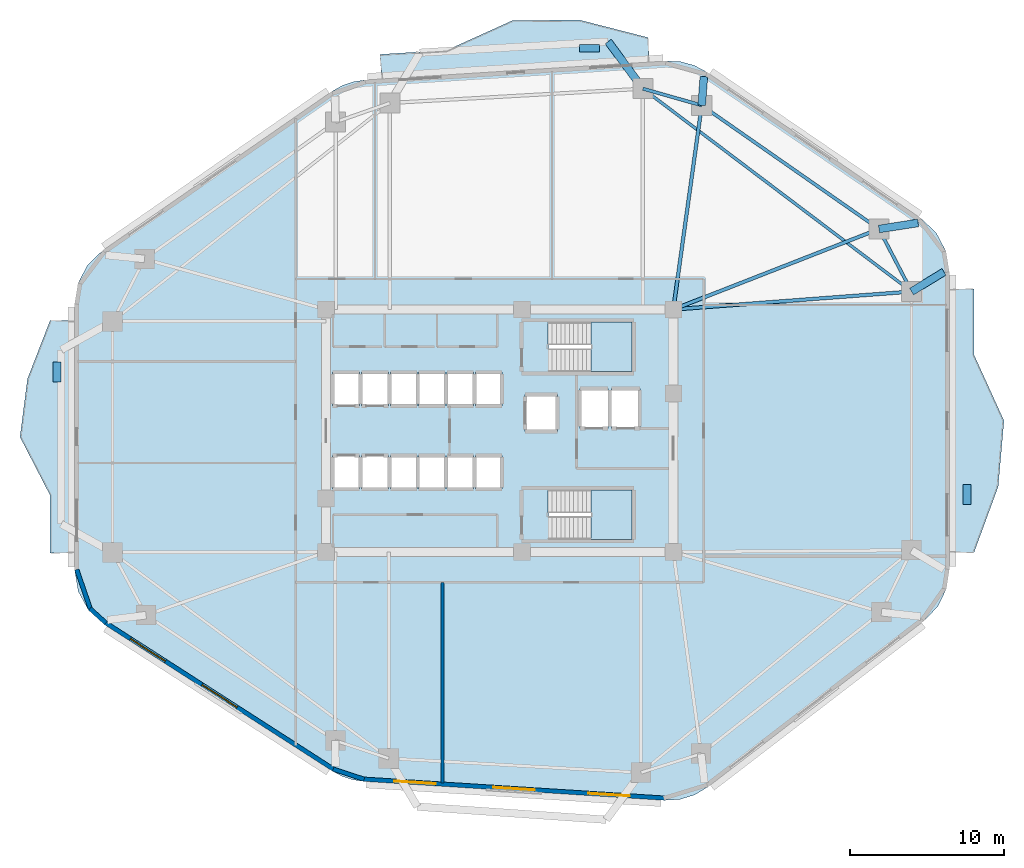
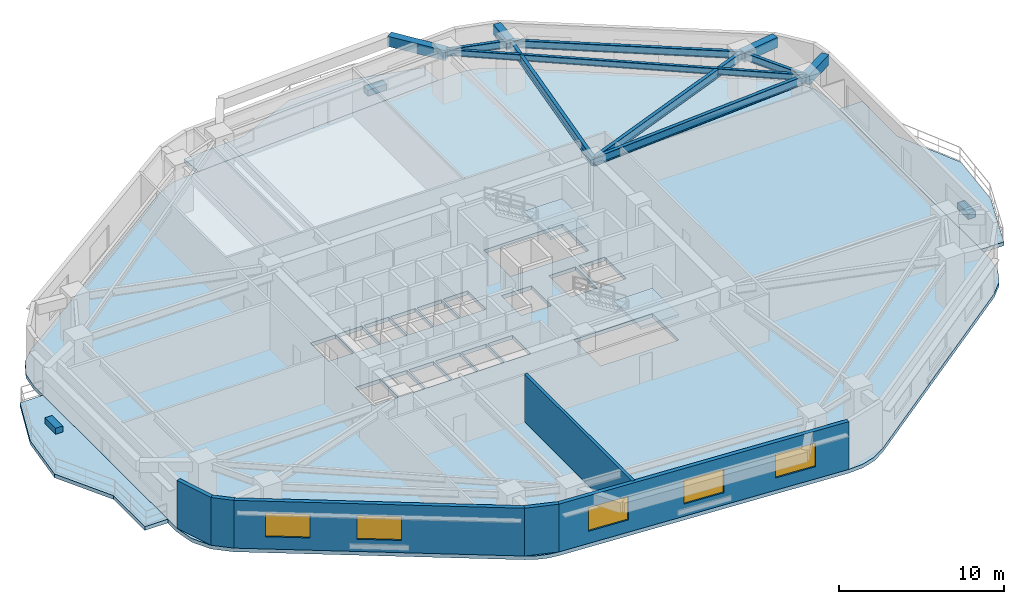
# One storey, part 2 of 9: 11 beams, 6 slabs, 6 walls, 5 windows, 3 plates, 5 openings, 2 elements without a shape of their own.
"""IFC4 building model written with IfcOpenShell, lengths in metres."""

import ifcopenshell
import ifcopenshell.guid

model = None  # the IFC model being written
_history = None  # IfcOwnerHistory: only IFC2X3 demands one
_inside = {}  # id of a spatial element -> (the spatial element, [elements in it])
_under = {}  # id of a project, library or spatial element -> (it, [spatial elements below it])
_declared = {}  # id of a project -> (the project, [libraries it declares])
_typed = {}  # id of a type object -> (the type object, [elements of that type])
_made_of = {}  # id of a material, layer set ... -> (it, [elements and type objects made of it])


def new_model(schema):
    """Start an empty IFC model of exactly this schema.

    Asked for "IFC4X3", IfcOpenShell would pick the latest addendum, in which some entities
    have other attributes; the version numbers below select the first issue.
    IFC2X3 requires an IfcOwnerHistory on every rooted entity: one is made here for all.
    """
    global model, _history
    if schema == "IFC4X3":
        model = ifcopenshell.file(schema_version=(4, 3, 0, 0))
    else:
        model = ifcopenshell.file(schema=schema)
    _inside.clear()
    _under.clear()
    _declared.clear()
    _typed.clear()
    _made_of.clear()
    _history = None
    if model.schema == "IFC2X3":
        org = make("IfcOrganization", Name="unknown")
        user = make(
            "IfcPersonAndOrganization",
            ThePerson=make("IfcPerson", FamilyName="unknown"),
            TheOrganization=org,
        )
        app = make(
            "IfcApplication",
            ApplicationDeveloper=org,
            Version="unknown",
            ApplicationFullName="unknown",
            ApplicationIdentifier="unknown",
        )
        _history = make(
            "IfcOwnerHistory",
            OwningUser=user,
            OwningApplication=app,
            ChangeAction="ADDED",
            CreationDate=0,
        )
    return model


def make(cls, **values):
    """One entity of the class cls with the attributes given. An attribute that is None is left unset."""
    return model.create_entity(
        cls, **{name: value for name, value in values.items() if value is not None}
    )


def rooted(cls, **values):
    """An entity with a GlobalId (a new one), such as an element, a storey or a relation."""
    return make(cls, GlobalId=ifcopenshell.guid.new(), OwnerHistory=_history, **values)


def si_unit(unit_type, name, prefix=None):
    """IfcSIUnit, for example si_unit("LENGTHUNIT", "METRE", prefix="MILLI")."""
    return make("IfcSIUnit", UnitType=unit_type, Prefix=prefix, Name=name)


def assignment(units):
    """IfcUnitAssignment: the units of a project."""
    return None if units is None else make("IfcUnitAssignment", Units=units)


def point(xyz):
    """IfcCartesianPoint."""
    return None if xyz is None else make("IfcCartesianPoint", Coordinates=xyz)


def direction(xyz):
    """IfcDirection."""
    return None if xyz is None else make("IfcDirection", DirectionRatios=xyz)


def frame(location, z_axis=None, x_axis=None):
    """IfcAxis2Placement3D, a coordinate frame: its origin and axes. An axis left out is left unset."""
    return make(
        "IfcAxis2Placement3D",
        Location=point(location),
        Axis=direction(z_axis),
        RefDirection=direction(x_axis),
    )


def frame_2d(location, x_axis=None):
    """IfcAxis2Placement2D, a coordinate frame in the plane: its origin and x axis."""
    return make(
        "IfcAxis2Placement2D", Location=point(location), RefDirection=direction(x_axis)
    )


def origin():
    """The frame at (0, 0, 0) with its axes left unset."""
    return frame((0.0, 0.0, 0.0))


def origin_2d():
    """The frame at (0, 0) in the plane with its x axis left unset."""
    return frame_2d((0.0, 0.0))


def place(relative_to, where):
    """IfcLocalPlacement: puts the frame where relative to a parent placement (None: the world)."""
    return make(
        "IfcLocalPlacement", PlacementRelTo=relative_to, RelativePlacement=where
    )


def context(
    kind, dimensions, precision=None, world=None, true_north=None, identifier=None
):
    """IfcGeometricRepresentationContext, for example the 3D "Model" context."""
    return make(
        "IfcGeometricRepresentationContext",
        ContextIdentifier=identifier,
        ContextType=kind,
        CoordinateSpaceDimension=dimensions,
        Precision=precision,
        WorldCoordinateSystem=world,
        TrueNorth=true_north,
    )


def subcontext(parent, identifier, kind, view, scale=None):
    """IfcGeometricRepresentationSubContext, for example "Body" below "Model"."""
    return make(
        "IfcGeometricRepresentationSubContext",
        ContextIdentifier=identifier,
        ContextType=kind,
        ParentContext=parent,
        TargetScale=scale,
        TargetView=view,
    )


def project(units=None, contexts=None):
    """IfcProject with its units and contexts."""
    return rooted(
        "IfcProject",
        Name="project",
        RepresentationContexts=contexts,
        UnitsInContext=assignment(units),
    )


def spatial(cls, under=None, at=None, **own):
    """A site, building, storey or space (cls), placed at a placement, below another one or the project."""
    s = rooted(cls, ObjectPlacement=at, **own)
    if under is not None:
        _under.setdefault(under.id(), (under, []))[1].append(s)
    return s


def polyline(points):
    """IfcPolyline through the points."""
    return make("IfcPolyline", Points=[point(p) for p in points])


def profile(cls, at=None, kind="AREA", **sizes):
    """A parametric profile (cls). Its sizes go by their IFC names, for example OverallWidth=200.0."""
    return make(cls, ProfileType=kind, Position=at, **sizes)


def rectangle(**sizes):
    """IfcRectangleProfileDef."""
    return profile("IfcRectangleProfileDef", **sizes)


def i_section(**sizes):
    """IfcIShapeProfileDef."""
    return profile("IfcIShapeProfileDef", **sizes)


def outline(outer, holes=None, kind="AREA"):
    """IfcArbitraryClosedProfileDef: a profile drawn as a closed curve; with holes, ...WithVoids."""
    if holes is None:
        return make("IfcArbitraryClosedProfileDef", ProfileType=kind, OuterCurve=outer)
    return make(
        "IfcArbitraryProfileDefWithVoids",
        ProfileType=kind,
        OuterCurve=outer,
        InnerCurves=holes,
    )


def extrude(swept, where, along, depth):
    """IfcExtrudedAreaSolid: the profile swept, set in the frame where, extruded along a direction by depth."""
    return make(
        "IfcExtrudedAreaSolid",
        SweptArea=swept,
        Position=where,
        ExtrudedDirection=direction(along),
        Depth=depth,
    )


def shape(context_of_items, identifier, shape_type, items):
    """IfcShapeRepresentation: the items that make up one representation, for example the "Body"."""
    return make(
        "IfcShapeRepresentation",
        ContextOfItems=context_of_items,
        RepresentationIdentifier=identifier,
        RepresentationType=shape_type,
        Items=items,
    )


def material(Name=None, Category=None):
    """IfcMaterial."""
    return make("IfcMaterial", Name=Name, Category=Category)


def layer(
    of_material, thickness, ventilated=None, Name=None, Category=None, Priority=None
):
    """IfcMaterialLayer: one layer of a wall or slab, of a material (None: an air gap)."""
    return make(
        "IfcMaterialLayer",
        Material=of_material,
        LayerThickness=thickness,
        IsVentilated=ventilated,
        Name=Name,
        Category=Category,
        Priority=Priority,
    )


def layer_set(layers, Name=None):
    """IfcMaterialLayerSet."""
    return make("IfcMaterialLayerSet", MaterialLayers=layers, LayerSetName=Name)


def material_profile(
    of_material, cross_section, Name=None, Category=None, Priority=None
):
    """IfcMaterialProfile: a cross section and its material."""
    return make(
        "IfcMaterialProfile",
        Name=Name,
        Material=of_material,
        Profile=cross_section,
        Priority=Priority,
        Category=Category,
    )


def profile_set(profiles, Name=None, composite=None):
    """IfcMaterialProfileSet."""
    return make(
        "IfcMaterialProfileSet",
        Name=Name,
        MaterialProfiles=profiles,
        CompositeProfile=composite,
    )


def made_of(thing, what):
    """Note that an element or type object is made of a material, layer set ...; save() writes the relation."""
    if what is not None:
        _made_of.setdefault(what.id(), (what, []))[1].append(thing)
    return thing


def type_object(cls, material=None, **own):
    """A type object (cls), such as IfcWallType, which elements share."""
    return made_of(rooted(cls, **own), material)


def element(
    cls,
    number,
    at=None,
    inside=None,
    cuts=None,
    type_object=None,
    material=None,
    context=None,
    identifier="Body",
    shape_type=None,
    held_by="IfcProductDefinitionShape",
    body=None,
    shapes=None,
    **own,
):
    """One element of the class cls, such as IfcWall. Its Tag is "e" and its number.

    at: its placement. inside: the storey or other place that contains it. cuts: it is an
    opening in that element (IfcRelVoidsElement). A single representation is given by context,
    identifier, shape_type and body (its items); several are given by shapes. held_by: the class
    of the entity that holds the representations. save() writes the other relations.
    """
    e = rooted(cls, Tag="e%d" % number, ObjectPlacement=at, **own)
    if body is not None:
        shapes = [shape(context, identifier, shape_type, body)]
    if shapes is not None:
        e.Representation = make(held_by, Representations=shapes)
    if inside is not None:
        _inside.setdefault(inside.id(), (inside, []))[1].append(e)
    if cuts is not None:
        rooted(
            "IfcRelVoidsElement", RelatingBuildingElement=cuts, RelatedOpeningElement=e
        )
    if type_object is not None:
        _typed.setdefault(type_object.id(), (type_object, []))[1].append(e)
    return made_of(e, material)


def fill(opening, filler):
    """IfcRelFillsElement: the door or window that sits in an opening."""
    return rooted(
        "IfcRelFillsElement",
        RelatingOpeningElement=opening,
        RelatedBuildingElement=filler,
    )


def aggregate(whole, parts):
    """IfcRelAggregates: a whole, such as a stair, and the parts it consists of."""
    return rooted("IfcRelAggregates", RelatingObject=whole, RelatedObjects=parts)


def save(model, path):
    """Write the relations noted so far, then the file.

    IfcRelAggregates (storeys below a building ...), IfcRelContainedInSpatialStructure (elements
    in a storey), IfcRelDefinesByType, IfcRelAssociatesMaterial and IfcRelDeclares: one each for
    every whole, place, type object, material and project.
    """
    for whole, parts in _under.values():
        aggregate(whole, parts)
    for where, things in _inside.values():
        rooted(
            "IfcRelContainedInSpatialStructure",
            RelatedElements=things,
            RelatingStructure=where,
        )
    for kind, things in _typed.values():
        rooted("IfcRelDefinesByType", RelatedObjects=things, RelatingType=kind)
    for what, things in _made_of.values():
        rooted("IfcRelAssociatesMaterial", RelatedObjects=things, RelatingMaterial=what)
    for by, libraries in _declared.values():
        rooted("IfcRelDeclares", RelatingContext=by, RelatedDefinitions=libraries)
    model.write(path)


model = new_model("IFC4")

# Units and contexts
model_context = context("Model", 3, precision=1e-05, world=origin(), true_north=direction((0.0, 1.0)))
body_context = subcontext(model_context, "Body", "Model", "MODEL_VIEW")
ifc_project = project(units=[si_unit("LENGTHUNIT", "METRE"), si_unit("AREAUNIT", "SQUARE_METRE"), si_unit("VOLUMEUNIT", "CUBIC_METRE"), si_unit("PLANEANGLEUNIT", "RADIAN"), si_unit("MASSUNIT", "GRAM", prefix="KILO")], contexts=[model_context])

# Site, building, storey
site_placement = place(None, origin())
site = spatial("IfcSite", under=ifc_project, at=site_placement, CompositionType="ELEMENT")
building_placement = place(site_placement, origin())
building = spatial("IfcBuilding", under=site, at=building_placement, Name="Zulverin Broadcast Headquarters", CompositionType="ELEMENT")
storey_placement = place(building_placement, frame((0.0, 0.0, 82.0)))
storey = spatial("IfcBuildingStorey", under=building, at=storey_placement, Name="L20", CompositionType="ELEMENT", Elevation=82.0)

# Beams
ifc_material_1 = material(Name="Concrete C40/50", Category="concrete")
ifc_material_profile_1 = material_profile(ifc_material_1, rectangle(XDim=0.5, YDim=0.75, at=origin_2d()), Name="Concrete C40/50", Category="concrete")
ifc_profile_set_1 = profile_set([ifc_material_profile_1], Name="Concrete C40/50")
beam_type_1 = type_object("IfcBeamType", Name="BM-RC-500x750", PredefinedType="BEAM", material=ifc_profile_set_1)
beam_1_placement = place(storey_placement, frame((63.75, 34.235107421875, 3.14990234375), z_axis=(0.854022127196, 0.520236682924, 0.0), x_axis=(-0.520236682924, 0.854022127196, 0.0)))
element("IfcBeam", 1, at=beam_1_placement, inside=storey, type_object=beam_type_1, Name="L21 Plate Overhang Back-Spanned Beam OVR-06", PredefinedType="BEAM", context=body_context, shape_type="SweptSolid", body=[
    extrude(rectangle(XDim=0.5, YDim=0.75, at=origin_2d()), origin(), (0.0, 0.0, 1.0), 2.458984375),
])
beam_2_placement = place(storey_placement, frame((61.630126953125, 38.298583984375, 3.14990234375), z_axis=(0.988133444256, 0.153597839639, 0.0), x_axis=(-0.153597839639, 0.988133444256, 0.0)))
element("IfcBeam", 2, at=beam_2_placement, inside=storey, type_object=beam_type_1, Name="L21 Plate Overhang Back-Spanned Beam OVR-07", PredefinedType="BEAM", context=body_context, shape_type="SweptSolid", body=[
    extrude(rectangle(XDim=0.5, YDim=0.75, at=origin_2d()), origin(), (0.0, 0.0, 1.0), 2.57177734375),
])
beam_3_placement = place(storey_placement, frame((50.121826171875, 46.325927734375, 3.14990234375), z_axis=(0.073023006252, 0.997330256514, 0.0), x_axis=(-0.997330256514, 0.073023006252, 0.0)))
element("IfcBeam", 3, at=beam_3_placement, inside=storey, type_object=beam_type_1, Name="L21 Plate Overhang Back-Spanned Beam OVR-08", PredefinedType="BEAM", context=body_context, shape_type="SweptSolid", body=[
    extrude(rectangle(XDim=0.5, YDim=0.75, at=origin_2d()), origin(), (0.0, 0.0, 1.0), 1.875732421875),
])
beam_4_placement = place(storey_placement, frame((46.30224609375, 47.4091796875, 3.14990234375), z_axis=(-0.592925064887, 0.805257640404, 0.0), x_axis=(-0.805257640404, -0.592925064887, 0.0)))
element("IfcBeam", 4, at=beam_4_placement, inside=storey, type_object=beam_type_1, Name="L21 Balcony Column-Framed Cantilever BAL_N-1", PredefinedType="BEAM", context=body_context, shape_type="SweptSolid", body=[
    extrude(rectangle(XDim=0.5, YDim=0.75, at=origin_2d()), origin(), (0.0, 0.0, 1.0), 3.800048828125),
])
ifc_material_2 = material(Name="Structural steel S355JR", Category="steel")
ifc_material_profile_2 = material_profile(ifc_material_2, i_section(OverallWidth=0.19287109375, OverallDepth=0.46728515625, WebThickness=0.011474609375, FlangeThickness=0.01953125, at=origin_2d()), Name="Structural steel S355JR", Category="steel")
ifc_profile_set_2 = profile_set([ifc_material_profile_2], Name="Structural steel S355JR")
beam_type_2 = type_object("IfcBeamType", Name="BM-UB-457", PredefinedType="JOIST", material=ifc_profile_set_2)
beam_5_placement = place(storey_placement, frame((63.75, 34.235107421875, 3.29150390625), z_axis=(-0.798058136838, 0.602580459546, 0.0), x_axis=(-0.602580459546, -0.798058136838, 0.0)))
element("IfcBeam", 5, at=beam_5_placement, inside=storey, type_object=beam_type_2, Name="L20 Chordal Floor Joist J-02", PredefinedType="JOIST", context=body_context, shape_type="SweptSolid", body=[
    extrude(i_section(OverallWidth=0.19287109375, OverallDepth=0.46728515625, WebThickness=0.011474609375, FlangeThickness=0.01953125, at=origin_2d()), origin(), (0.0, 0.0, 1.0), 21.86279296875),
])
ifc_material_profile_3 = material_profile(ifc_material_2, i_section(OverallWidth=0.2119140625, OverallDepth=0.54443359375, WebThickness=0.0126953125, FlangeThickness=0.021240234375, at=origin_2d()), Name="Structural steel S355JR", Category="steel")
ifc_profile_set_3 = profile_set([ifc_material_profile_3], Name="Structural steel S355JR")
beam_type_3 = type_object("IfcBeamType", Name="BM-UB-533", PredefinedType="SPANDREL", material=ifc_profile_set_3)
beam_6_placement = place(storey_placement, frame((63.75, 34.235107421875, 3.252685546875), z_axis=(-0.462531417359, 0.886602891917, 0.0), x_axis=(-0.886602891917, -0.462531417359, 0.0)))
element("IfcBeam", 6, at=beam_6_placement, inside=storey, type_object=beam_type_3, Name="L20 Perimeter Spandrel Beam SP-06", PredefinedType="SPANDREL", context=body_context, shape_type="SweptSolid", body=[
    extrude(i_section(OverallWidth=0.2119140625, OverallDepth=0.54443359375, WebThickness=0.0126953125, FlangeThickness=0.021240234375, at=origin_2d()), origin(), (0.0, 0.0, 1.0), 4.583251953125),
])
beam_7_placement = place(storey_placement, frame((61.630126953125, 38.298583984375, 3.252685546875), z_axis=(-0.820183915206, 0.5720999434, 0.0), x_axis=(-0.5720999434, -0.820183915206, 0.0)))
element("IfcBeam", 7, at=beam_7_placement, inside=storey, type_object=beam_type_3, Name="L20 Perimeter Spandrel Beam SP-07", PredefinedType="SPANDREL", context=body_context, shape_type="SweptSolid", body=[
    extrude(i_section(OverallWidth=0.2119140625, OverallDepth=0.54443359375, WebThickness=0.0126953125, FlangeThickness=0.021240234375, at=origin_2d()), origin(), (0.0, 0.0, 1.0), 14.03125),
])
beam_8_placement = place(storey_placement, frame((50.121826171875, 46.325927734375, 3.252685546875), z_axis=(-0.962058150721, 0.272844487999, 0.0), x_axis=(-0.272844487999, -0.962058150721, 0.0)))
element("IfcBeam", 8, at=beam_8_placement, inside=storey, type_object=beam_type_3, Name="L20 Perimeter Spandrel Beam SP-08", PredefinedType="SPANDREL", context=body_context, shape_type="SweptSolid", body=[
    extrude(i_section(OverallWidth=0.2119140625, OverallDepth=0.54443359375, WebThickness=0.0126953125, FlangeThickness=0.021240234375, at=origin_2d()), origin(), (0.0, 0.0, 1.0), 3.97021484375),
])
ifc_material_profile_4 = material_profile(ifc_material_2, i_section(OverallWidth=0.230224609375, OverallDepth=0.6171875, WebThickness=0.01318359375, FlangeThickness=0.022216796875, at=origin_2d()), Name="Structural steel S355JR", Category="steel")
ifc_profile_set_4 = profile_set([ifc_material_profile_4], Name="Structural steel S355JR")
beam_type_4 = type_object("IfcBeamType", Name="BM-UB-610", PredefinedType="BEAM", material=ifc_profile_set_4)
beam_9_placement = place(storey_placement, frame((48.27490234375, 33.074951171875, 3.21630859375), z_axis=(0.997201597387, 0.074759442003, 0.0), x_axis=(-0.074759442003, 0.997201597387, 0.0)))
element("IfcBeam", 9, at=beam_9_placement, inside=storey, type_object=beam_type_4, Name="L20 Radial Primary Floor Beam RB-06", PredefinedType="BEAM", context=body_context, shape_type="SweptSolid", body=[
    extrude(i_section(OverallWidth=0.230224609375, OverallDepth=0.6171875, WebThickness=0.01318359375, FlangeThickness=0.022216796875, at=origin_2d()), origin(), (0.0, 0.0, 1.0), 15.5185546875),
])
beam_10_placement = place(storey_placement, frame((48.27490234375, 33.074951171875, 3.21630859375), z_axis=(0.931297778153, 0.364258765723, 0.0), x_axis=(-0.364258765723, 0.931297778153, 0.0)))
element("IfcBeam", 10, at=beam_10_placement, inside=storey, type_object=beam_type_4, Name="L20 Radial Primary Floor Beam RB-07", PredefinedType="BEAM", context=body_context, shape_type="SweptSolid", body=[
    extrude(i_section(OverallWidth=0.230224609375, OverallDepth=0.6171875, WebThickness=0.01318359375, FlangeThickness=0.022216796875, at=origin_2d()), origin(), (0.0, 0.0, 1.0), 14.34033203125),
])
beam_11_placement = place(storey_placement, frame((48.27490234375, 33.074951171875, 3.21630859375), z_axis=(0.138045758193, 0.990425852169, 0.0), x_axis=(-0.990425852169, 0.138045758193, 0.0)))
element("IfcBeam", 11, at=beam_11_placement, inside=storey, type_object=beam_type_4, Name="L20 Radial Primary Floor Beam RB-08", PredefinedType="BEAM", context=body_context, shape_type="SweptSolid", body=[
    extrude(i_section(OverallWidth=0.230224609375, OverallDepth=0.6171875, WebThickness=0.01318359375, FlangeThickness=0.022216796875, at=origin_2d()), origin(), (0.0, 0.0, 1.0), 13.379150390625),
])

# Plates
ifc_material_3 = material(Name="Precast concrete C45/55", Category="concrete")
ifc_layer_1 = layer(ifc_material_3, 0.449951171875, Name="Precast concrete C45/55", Category="concrete")
ifc_layer_set_1 = layer_set([ifc_layer_1], Name="Precast concrete C45/55")
plate_type = type_object("IfcPlateType", Name="PT-01_PRECAST_GFRC_TREE_PLANTER", PredefinedType="USERDEFINED", material=ifc_layer_set_1)
for number, where, z_axis, x_axis, name in (
    (12, (67.35009765625, 21.05224609375, -0.0048828125), (0.0, 0.0, 1.0), (0.0, 1.0, 0.0), "L20 Precast GFRC Tree Planter BAL_E"),
    (13, (42.825927734375, 50.04638671875, -0.0048828125), (0.0, 0.0, 1.0), (1.0, 0.0, 0.0), "L20 Precast GFRC Tree Planter BAL_N"),
    (14, (8.25, 29.022216796875, -0.0048828125), (0.0, 0.0, 1.0), (0.0, 1.0, 0.0), "L20 Precast GFRC Tree Planter BAL_W"),
):
    element("IfcPlate", number, at=place(storey_placement, frame(where, z_axis=z_axis, x_axis=x_axis)), inside=storey, type_object=plate_type, Name=name, ObjectType="PLANTER", PredefinedType="USERDEFINED", context=body_context, shape_type="SweptSolid", body=[
        extrude(rectangle(XDim=1.300048828125, YDim=0.5, at=origin_2d()), origin(), (0.0, 0.0, 1.0), 0.449951171875),
    ])

# Slabs
ifc_layer_2 = layer(ifc_material_1, 0.27490234375, Name="Concrete C40/50", Category="concrete")
ifc_layer_set_2 = layer_set([ifc_layer_2], Name="Concrete C40/50")
slab_type_1 = type_object("IfcSlabType", Name="SLB-BAL-275", PredefinedType="FLOOR", material=ifc_layer_set_2)
slab_1_placement = place(storey_placement, frame((0.0, 0.0, -0.27490234375)))
element("IfcSlab", 15, at=slab_1_placement, inside=storey, type_object=slab_type_1, Name="L20 Cantilevered Planted Balcony Slab BAL_E", PredefinedType="FLOOR", context=body_context, shape_type="SweptSolid", body=[
    extrude(outline(polyline([(66.199951171875, 34.41455078125), (66.199951171875, 17.283447265625), (67.800048828125, 17.283447265625), (69.3720703125, 21.566162109375), (69.75, 25.848876953125), (67.800048828125, 30.131591796875), (67.800048828125, 34.41455078125), (66.199951171875, 34.41455078125)])), origin(), (0.0, 0.0, 1.0), 0.27490234375),
])
slab_2_placement = place(storey_placement, frame((0.0, 0.0, -0.27490234375)))
element("IfcSlab", 16, at=slab_2_placement, inside=storey, type_object=slab_type_1, Name="L20 Cantilevered Planted Balcony Slab BAL_N", PredefinedType="FLOOR", context=body_context, shape_type="SweptSolid", body=[
    extrude(outline(polyline([(29.330078125, 48.04296875), (46.72509765625, 49.139892578125), (46.62451171875, 50.73681640625), (42.18701171875, 51.871337890625), (37.8232421875, 51.8349609375), (33.578369140625, 49.9140625), (29.2294921875, 49.639892578125), (29.330078125, 48.04296875)])), origin(), (0.0, 0.0, 1.0), 0.27490234375),
])
slab_3_placement = place(storey_placement, frame((0.0, 0.0, -0.27490234375)))
element("IfcSlab", 17, at=slab_3_placement, inside=storey, type_object=slab_type_1, Name="L20 Cantilevered Planted Balcony Slab BAL_W", PredefinedType="FLOOR", context=body_context, shape_type="SweptSolid", body=[
    extrude(outline(polyline([(9.39990234375, 17.24365234375), (9.39990234375, 32.344482421875), (7.800048828125, 32.344482421875), (6.334228515625, 28.569091796875), (5.85009765625, 24.7939453125), (7.800048828125, 21.018798828125), (7.800048828125, 17.24365234375), (9.39990234375, 17.24365234375)])), origin(), (0.0, 0.0, 1.0), 0.27490234375),
])

# Stair, slab
stair_type = type_object("IfcStairType", Name="ST-CORE-1500", PredefinedType="HALF_TURN_STAIR", material=ifc_material_1)
stair_1_placement = place(storey_placement, origin())
stair_1 = element("IfcStair", 18, at=stair_1_placement, inside=storey, type_object=stair_type, Name="L20 Core Exit Stair ST-1", PredefinedType="HALF_TURN_STAIR")
ifc_layer_3 = layer(ifc_material_1, 0.199951171875, Name="Concrete C40/50", Category="concrete")
ifc_layer_set_3 = layer_set([ifc_layer_3], Name="Concrete C40/50")
slab_type_2 = type_object("IfcSlabType", Name="SLB-ST-LND200", PredefinedType="LANDING", material=ifc_layer_set_3)
slab_4_placement = place(storey_placement, frame((0.0, 0.0, 1.699951171875)))
slab_4 = element("IfcSlab", 19, at=slab_4_placement, type_object=slab_type_2, Name="ST-1 landing 1", PredefinedType="LANDING", context=body_context, shape_type="SweptSolid", body=[
    extrude(outline(polyline([(42.929931640625, 29.050048828125), (45.60009765625, 29.050048828125), (45.60009765625, 32.25), (42.929931640625, 32.25), (42.929931640625, 29.050048828125)])), origin(), (0.0, 0.0, 1.0), 0.199951171875),
])
aggregate(stair_1, [slab_4])

stair_2_placement = place(storey_placement, origin())
stair_2 = element("IfcStair", 20, at=stair_2_placement, inside=storey, type_object=stair_type, Name="L20 Core Exit Stair ST-2", PredefinedType="HALF_TURN_STAIR")
slab_5_placement = place(storey_placement, frame((0.0, 0.0, 1.699951171875)))
slab_5 = element("IfcSlab", 21, at=slab_5_placement, type_object=slab_type_2, Name="ST-2 landing 1", PredefinedType="LANDING", context=body_context, shape_type="SweptSolid", body=[
    extrude(outline(polyline([(42.929931640625, 18.14990234375), (45.60009765625, 18.14990234375), (45.60009765625, 21.35009765625), (42.929931640625, 21.35009765625), (42.929931640625, 18.14990234375)])), origin(), (0.0, 0.0, 1.0), 0.199951171875),
])
aggregate(stair_2, [slab_5])

# Slab
ifc_layer_4 = layer(ifc_material_1, 0.27490234375, Name="Concrete C40/50", Category="concrete")
ifc_layer_set_4 = layer_set([ifc_layer_4], Name="Concrete C40/50")
slab_type_3 = type_object("IfcSlabType", Name="SLB-TWR-275", PredefinedType="FLOOR", material=ifc_layer_set_4)
slab_6_placement = place(storey_placement, frame((0.0, 0.0, -0.27490234375)))
element("IfcSlab", 22, at=slab_6_placement, inside=storey, type_object=slab_type_3, Name="L20 Main Structural Floor Slab", PredefinedType="FLOOR", context=body_context, shape_type="SweptSolid", body=[
    extrude(outline(polyline([(26.146484375, 3.089599609375), (26.774658203125, 2.75732421875), (27.44970703125, 2.535888671875), (28.152587890625, 2.431396484375), (47.690673828125, 1.19921875), (48.69189453125, 1.256103515625), (49.6513671875, 1.548828125), (50.51416015625, 2.060546875), (64.55908203125, 12.85302734375), (65.44140625, 13.77587890625), (66.005859375, 14.92138671875), (66.199951171875, 16.183349609375), (66.199951171875, 35.514404296875), (65.981689453125, 36.85107421875), (65.349365234375, 38.048583984375), (64.368896484375, 38.982666015625), (50.456298828125, 48.485595703125), (49.639404296875, 48.920166015625), (48.747314453125, 49.165283203125), (47.822998046875, 49.208984375), (28.232421875, 47.9736328125), (27.481201171875, 47.857421875), (26.76318359375, 47.607666015625), (26.102294921875, 47.232666015625), (11.20556640625, 36.89501953125), (10.238037109375, 35.9619140625), (9.614990234375, 34.77099609375), (9.39990234375, 33.4443359375), (9.39990234375, 16.1435546875), (9.631103515625, 14.769775390625), (10.298583984375, 13.547119140625), (11.32958984375, 12.610107421875), (26.146484375, 3.089599609375)]), holes=[polyline([(40.155029296875, 30.75), (40.130126953125, 30.75), (40.130126953125, 32.25), (45.60009765625, 32.25), (45.60009765625, 29.050048828125), (40.155029296875, 29.050048828125), (40.155029296875, 30.75)]), polyline([(40.155029296875, 19.85009765625), (40.130126953125, 19.85009765625), (40.130126953125, 21.35009765625), (45.60009765625, 21.35009765625), (45.60009765625, 18.14990234375), (40.155029296875, 18.14990234375), (40.155029296875, 19.85009765625)]), polyline([(26.14990234375, 26.800048828125), (27.89990234375, 26.800048828125), (27.89990234375, 29.0), (26.14990234375, 29.0), (26.14990234375, 26.800048828125)]), polyline([(28.02001953125, 26.800048828125), (29.77001953125, 26.800048828125), (29.77001953125, 29.0), (28.02001953125, 29.0), (28.02001953125, 26.800048828125)]), polyline([(26.14990234375, 21.39990234375), (27.89990234375, 21.39990234375), (27.89990234375, 23.60009765625), (26.14990234375, 23.60009765625), (26.14990234375, 21.39990234375)]), polyline([(28.02001953125, 21.39990234375), (29.77001953125, 21.39990234375), (29.77001953125, 23.60009765625), (28.02001953125, 23.60009765625), (28.02001953125, 21.39990234375)]), polyline([(29.89990234375, 21.39990234375), (31.6201171875, 21.39990234375), (31.6201171875, 23.60009765625), (29.89990234375, 23.60009765625), (29.89990234375, 21.39990234375)]), polyline([(31.739990234375, 21.39990234375), (33.4599609375, 21.39990234375), (33.4599609375, 23.60009765625), (31.739990234375, 23.60009765625), (31.739990234375, 21.39990234375)]), polyline([(33.580078125, 21.39990234375), (35.300048828125, 21.39990234375), (35.300048828125, 23.60009765625), (33.580078125, 23.60009765625), (33.580078125, 21.39990234375)]), polyline([(35.419921875, 21.39990234375), (37.139892578125, 21.39990234375), (37.139892578125, 23.60009765625), (35.419921875, 23.60009765625), (35.419921875, 21.39990234375)]), polyline([(29.89990234375, 26.800048828125), (31.6201171875, 26.800048828125), (31.6201171875, 29.0), (29.89990234375, 29.0), (29.89990234375, 26.800048828125)]), polyline([(31.739990234375, 26.800048828125), (33.4599609375, 26.800048828125), (33.4599609375, 29.0), (31.739990234375, 29.0), (31.739990234375, 26.800048828125)]), polyline([(33.580078125, 26.800048828125), (35.300048828125, 26.800048828125), (35.300048828125, 29.0), (33.580078125, 29.0), (33.580078125, 26.800048828125)]), polyline([(35.419921875, 26.800048828125), (37.139892578125, 26.800048828125), (37.139892578125, 29.0), (35.419921875, 29.0), (35.419921875, 26.800048828125)]), polyline([(42.199951171875, 25.35009765625), (44.050048828125, 25.35009765625), (44.050048828125, 27.949951171875), (42.199951171875, 27.949951171875), (42.199951171875, 25.35009765625)]), polyline([(44.25, 25.35009765625), (46.10009765625, 25.35009765625), (46.10009765625, 27.949951171875), (44.25, 27.949951171875), (44.25, 25.35009765625)]), polyline([(38.64990234375, 25.14990234375), (40.75, 25.14990234375), (40.75, 27.550048828125), (38.64990234375, 27.550048828125), (38.64990234375, 25.14990234375)])]), origin(), (0.0, 0.0, 1.0), 0.27490234375),
])

# Wall
ifc_material_4 = material(Name="Acoustic drywall steel stud", Category="steel")
ifc_layer_5 = layer(ifc_material_4, 0.199951171875, Name="Acoustic drywall steel stud", Category="steel")
ifc_layer_set_5 = layer_set([ifc_layer_5], Name="Acoustic drywall steel stud")
wall_type_1 = type_object("IfcWallType", Name="WL-ACOU-200", PredefinedType="PARTITIONING", material=ifc_layer_set_5)
wall_1_placement = place(storey_placement, frame((33.300048828125, 2.311767578125, 0.0), z_axis=(0.0, 0.0, 1.0), x_axis=(0.0, 1.0, 0.0)))
element("IfcWall", 23, at=wall_1_placement, inside=storey, type_object=wall_type_1, Name="L20 Room Partition Wall RP-03", PredefinedType="PARTITIONING", context=body_context, shape_type="SweptSolid", body=[
    extrude(rectangle(XDim=13.038330078125, YDim=0.199951171875, at=frame_2d((6.51904296875, 0.0))), origin(), (0.0, 0.0, 1.0), 3.52490234375),
])

# Wall, openings, windows
ifc_material_5 = material(Name="Insulated pale-metal clad concrete spandrel C40/50", Category="concrete")
ifc_layer_6 = layer(ifc_material_5, 0.280029296875, Name="Insulated pale-metal clad concrete spandrel C40/50", Category="concrete")
ifc_layer_set_6 = layer_set([ifc_layer_6], Name="Insulated pale-metal clad concrete spandrel C40/50")
wall_type_2 = type_object("IfcWallType", Name="WL-EXT-280", PredefinedType="STANDARD", material=ifc_layer_set_6)
wall_2_placement = place(storey_placement, frame((28.161376953125, 2.571044921875, 0.0), z_axis=(0.0, 0.0, 1.0), x_axis=(0.998017288298, -0.06294038654, 0.0)))
wall_2 = element("IfcWall", 24, at=wall_2_placement, inside=storey, type_object=wall_type_2, Name="L20 Pale-Metal Clad Spandrel Wall 1", PredefinedType="STANDARD", context=body_context, shape_type="SweptSolid", body=[
    extrude(rectangle(XDim=19.576904296875, YDim=0.280029296875, at=frame_2d((9.78857421875, 0.0))), origin(), (0.0, 0.0, 1.0), 3.52490234375),
])
opening_1_placement = place(wall_2_placement, frame((1.99609375, 0.0, 0.89990234375)))
opening_1 = element("IfcOpeningElement", 25, at=opening_1_placement, cuts=wall_2, Name="Opening W-L20-E11", PredefinedType="OPENING", context=body_context, shape_type="SweptSolid", body=[
    extrude(rectangle(XDim=2.699951171875, YDim=1.75, at=frame_2d((1.35009765625, 0.875))), frame((0.0, 0.14990234375, 0.0), z_axis=(0.0, -1.0, 0.0), x_axis=(1.0, 0.0, 0.0)), (0.0, 0.0, 1.0), 0.300048828125),
])
opening_2_placement = place(wall_2_placement, frame((8.4384765625, 0.0, 0.89990234375)))
opening_2 = element("IfcOpeningElement", 26, at=opening_2_placement, cuts=wall_2, Name="Opening W-L20-E12", PredefinedType="OPENING", context=body_context, shape_type="SweptSolid", body=[
    extrude(rectangle(XDim=2.699951171875, YDim=1.75, at=frame_2d((1.35009765625, 0.875))), frame((0.0, 0.14990234375, 0.0), z_axis=(0.0, -1.0, 0.0), x_axis=(1.0, 0.0, 0.0)), (0.0, 0.0, 1.0), 0.300048828125),
])
opening_3_placement = place(wall_2_placement, frame((14.630859375, 0.0, 0.89990234375)))
opening_3 = element("IfcOpeningElement", 27, at=opening_3_placement, cuts=wall_2, Name="Opening W-L20-E13", PredefinedType="OPENING", context=body_context, shape_type="SweptSolid", body=[
    extrude(rectangle(XDim=2.699951171875, YDim=1.75, at=frame_2d((1.35009765625, 0.875))), frame((0.0, 0.14990234375, 0.0), z_axis=(0.0, -1.0, 0.0), x_axis=(1.0, 0.0, 0.0)), (0.0, 0.0, 1.0), 0.300048828125),
])
ifc_material_6 = material(Name="Pale anodized aluminium frame with solar-control low-E double glazing", Category="aluminium")
window_type = type_object("IfcWindowType", Name="WIN-TWR-2700", PartitioningType="SINGLE_PANEL", PredefinedType="WINDOW", material=ifc_material_6)
window_1_placement = place(opening_1_placement, origin())
window_1 = element("IfcWindow", 28, at=window_1_placement, inside=storey, type_object=window_type, Name="L20 Ribbon Glazing Window 1 1", OverallHeight=1.75, OverallWidth=2.699951171875, PartitioningType="SINGLE_PANEL", PredefinedType="WINDOW", context=body_context, shape_type="SweptSolid", body=[
    extrude(rectangle(XDim=2.699951171875, YDim=1.75, at=frame_2d((1.35009765625, 0.875))), frame((0.0, 0.030029296875, 0.0), z_axis=(0.0, -1.0, 0.0), x_axis=(1.0, 0.0, 0.0)), (0.0, 0.0, 1.0), 0.06005859375),
])
fill(opening_1, window_1)
window_2_placement = place(opening_2_placement, origin())
window_2 = element("IfcWindow", 29, at=window_2_placement, inside=storey, type_object=window_type, Name="L20 Ribbon Glazing Window 1 2", OverallHeight=1.75, OverallWidth=2.699951171875, PartitioningType="SINGLE_PANEL", PredefinedType="WINDOW", context=body_context, shape_type="SweptSolid", body=[
    extrude(rectangle(XDim=2.699951171875, YDim=1.75, at=frame_2d((1.35009765625, 0.875))), frame((0.0, 0.030029296875, 0.0), z_axis=(0.0, -1.0, 0.0), x_axis=(1.0, 0.0, 0.0)), (0.0, 0.0, 1.0), 0.06005859375),
])
fill(opening_2, window_2)
window_3_placement = place(opening_3_placement, origin())
window_3 = element("IfcWindow", 30, at=window_3_placement, inside=storey, type_object=window_type, Name="L20 Ribbon Glazing Window 1 3", OverallHeight=1.75, OverallWidth=2.699951171875, PartitioningType="SINGLE_PANEL", PredefinedType="WINDOW", context=body_context, shape_type="SweptSolid", body=[
    extrude(rectangle(XDim=2.699951171875, YDim=1.75, at=frame_2d((1.35009765625, 0.875))), frame((0.0, 0.030029296875, 0.0), z_axis=(0.0, -1.0, 0.0), x_axis=(1.0, 0.0, 0.0)), (0.0, 0.0, 1.0), 0.06005859375),
])
fill(opening_3, window_3)

wall_3_placement = place(storey_placement, frame((11.4052734375, 12.727783203125, 0.0), z_axis=(0.0, 0.0, 1.0), x_axis=(0.841304564637, -0.540561402175, 0.0)))
wall_3 = element("IfcWall", 31, at=wall_3_placement, inside=storey, type_object=wall_type_2, Name="L20 Pale-Metal Clad Spandrel Wall 8", PredefinedType="STANDARD", context=body_context, shape_type="SweptSolid", body=[
    extrude(rectangle(XDim=17.61181640625, YDim=0.280029296875, at=frame_2d((8.805908203125, 0.0))), origin(), (0.0, 0.0, 1.0), 3.52490234375),
])
opening_4_placement = place(wall_3_placement, frame((1.918701171875, 0.0, 0.89990234375)))
opening_4 = element("IfcOpeningElement", 32, at=opening_4_placement, cuts=wall_3, Name="Opening W-L20-E81", PredefinedType="OPENING", context=body_context, shape_type="SweptSolid", body=[
    extrude(rectangle(XDim=2.699951171875, YDim=1.75, at=frame_2d((1.35009765625, 0.875))), frame((0.0, 0.14990234375, 0.0), z_axis=(0.0, -1.0, 0.0), x_axis=(1.0, 0.0, 0.0)), (0.0, 0.0, 1.0), 0.300048828125),
])
opening_5_placement = place(wall_3_placement, frame((7.455810546875, 0.0, 0.89990234375)))
opening_5 = element("IfcOpeningElement", 33, at=opening_5_placement, cuts=wall_3, Name="Opening W-L20-E82", PredefinedType="OPENING", context=body_context, shape_type="SweptSolid", body=[
    extrude(rectangle(XDim=2.699951171875, YDim=1.75, at=frame_2d((1.35009765625, 0.875))), frame((0.0, 0.14990234375, 0.0), z_axis=(0.0, -1.0, 0.0), x_axis=(1.0, 0.0, 0.0)), (0.0, 0.0, 1.0), 0.300048828125),
])
window_4_placement = place(opening_4_placement, origin())
window_4 = element("IfcWindow", 34, at=window_4_placement, inside=storey, type_object=window_type, Name="L20 Ribbon Glazing Window 8 1", OverallHeight=1.75, OverallWidth=2.699951171875, PartitioningType="SINGLE_PANEL", PredefinedType="WINDOW", context=body_context, shape_type="SweptSolid", body=[
    extrude(rectangle(XDim=2.699951171875, YDim=1.75, at=frame_2d((1.35009765625, 0.875))), frame((0.0, 0.030029296875, 0.0), z_axis=(0.0, -1.0, 0.0), x_axis=(1.0, 0.0, 0.0)), (0.0, 0.0, 1.0), 0.06005859375),
])
fill(opening_4, window_4)
window_5_placement = place(opening_5_placement, origin())
window_5 = element("IfcWindow", 35, at=window_5_placement, inside=storey, type_object=window_type, Name="L20 Ribbon Glazing Window 8 2", OverallHeight=1.75, OverallWidth=2.699951171875, PartitioningType="SINGLE_PANEL", PredefinedType="WINDOW", context=body_context, shape_type="SweptSolid", body=[
    extrude(rectangle(XDim=2.699951171875, YDim=1.75, at=frame_2d((1.35009765625, 0.875))), frame((0.0, 0.030029296875, 0.0), z_axis=(0.0, -1.0, 0.0), x_axis=(1.0, 0.0, 0.0)), (0.0, 0.0, 1.0), 0.06005859375),
])
fill(opening_5, window_5)

# Walls
wall_4_placement = place(storey_placement, frame((9.5322265625, 16.189453125, 0.0), z_axis=(0.0, 0.0, 1.0), x_axis=(0.32708309668, -0.944995580871, 0.0)))
element("IfcWall", 36, at=wall_4_placement, inside=storey, type_object=wall_type_2, Name="L20 Wind-Shaped Corner Spandrel Wall 7-1", PredefinedType="STANDARD", context=body_context, shape_type="SweptSolid", body=[
    extrude(rectangle(XDim=2.74755859375, YDim=0.280029296875, at=frame_2d((1.373779296875, 0.0))), origin(), (0.0, 0.0, 1.0), 3.52490234375),
])
wall_5_placement = place(storey_placement, frame((10.392822265625, 13.650634765625, 0.0), z_axis=(0.0, 0.0, 1.0), x_axis=(0.74003521851, -0.672568119498, 0.0)))
element("IfcWall", 37, at=wall_5_placement, inside=storey, type_object=wall_type_2, Name="L20 Wind-Shaped Corner Spandrel Wall 7-2", PredefinedType="STANDARD", context=body_context, shape_type="SweptSolid", body=[
    extrude(rectangle(XDim=1.39306640625, YDim=0.280029296875, at=frame_2d((0.696533203125, 0.0))), origin(), (0.0, 0.0, 1.0), 3.52490234375),
])
wall_6_placement = place(storey_placement, frame((26.18994140625, 3.22265625, 0.0), z_axis=(0.0, 0.0, 1.0), x_axis=(0.95016442175, -0.311749212734, 0.0)))
element("IfcWall", 38, at=wall_6_placement, inside=storey, type_object=wall_type_2, Name="L20 Wind-Shaped Corner Spandrel Wall 8-1", PredefinedType="STANDARD", context=body_context, shape_type="SweptSolid", body=[
    extrude(rectangle(XDim=2.111328125, YDim=0.280029296875, at=frame_2d((1.0556640625, 0.0))), origin(), (0.0, 0.0, 1.0), 3.52490234375),
])

save(model, "model.ifc")
